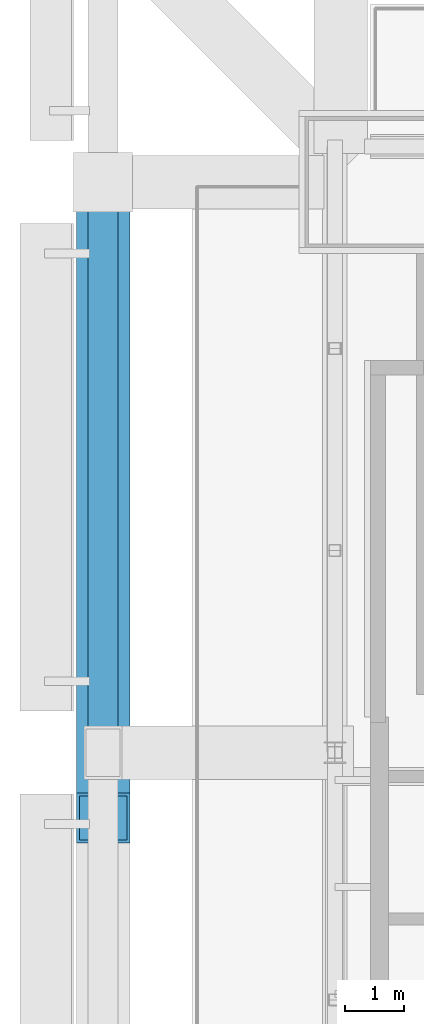
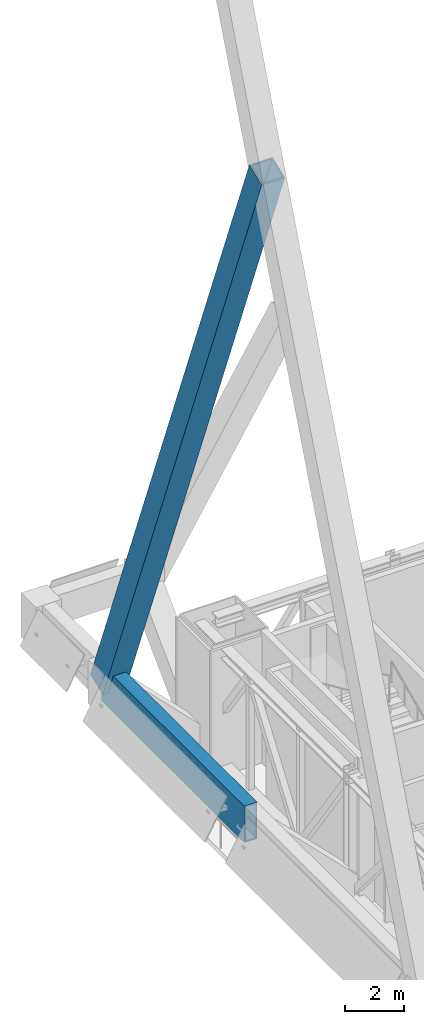
# One storey, part 12 of 30: 1 beam, 1 member.
"""IFC4 building model written with IfcOpenShell, lengths in metres."""

from ifc_helpers import new_model, si_unit, direction, frame, origin, origin_2d, place, context, subcontext, project, spatial, hollow_rectangle, extrude, material, material_profile, profile_set, type_object, element, save


model = new_model("IFC4")

# Units and contexts
model_context = context("Model", 3, precision=1e-05, world=origin(), true_north=direction((0.0, 1.0)))
body_context = subcontext(model_context, "Body", "Model", "MODEL_VIEW")
ifc_project = project(units=[si_unit("LENGTHUNIT", "METRE"), si_unit("AREAUNIT", "SQUARE_METRE"), si_unit("VOLUMEUNIT", "CUBIC_METRE"), si_unit("PLANEANGLEUNIT", "RADIAN"), si_unit("MASSUNIT", "GRAM", prefix="KILO")], contexts=[model_context])

# Site, building, storey
site_placement = place(None, origin())
site = spatial("IfcSite", under=ifc_project, at=site_placement, CompositionType="ELEMENT")
building_placement = place(site_placement, origin())
building = spatial("IfcBuilding", under=site, at=building_placement, Name="Bicima Exchange Tower", CompositionType="ELEMENT")
storey_placement = place(building_placement, frame((0.0, 0.0, 287.60009765625)))
storey = spatial("IfcBuildingStorey", under=building, at=storey_placement, Name="L65", CompositionType="ELEMENT", Elevation=287.60009765625)

# Beam
ifc_material = material(Name="Steel ASTM A572 Gr 50", Category="steel")
ifc_material_profile_1 = material_profile(ifc_material, hollow_rectangle(XDim=0.5, YDim=1.5, WallThickness=0.050048828125, at=origin_2d()))
ifc_profile_set_1 = profile_set([ifc_material_profile_1], Name="Steel ASTM A572 Gr 50")
beam_type = type_object("IfcBeamType", Name="Belt girder BOX 500x1500x50", PredefinedType="BEAM", material=ifc_profile_set_1)
beam_placement = place(storey_placement, frame((-37.5, -3.0, 4.5), z_axis=(0.0, -1.0, 0.0), x_axis=(1.0, 0.0, 0.0)))
element("IfcBeam", 1, at=beam_placement, inside=storey, type_object=beam_type, Name="Belt girder", PredefinedType="BEAM", context=body_context, shape_type="SweptSolid", body=[
    extrude(hollow_rectangle(XDim=0.5, YDim=1.5, WallThickness=0.050048828125, at=origin_2d()), origin(), (0.0, 0.0, 1.0), 9.60009765625),
])

# Member
ifc_material_profile_2 = material_profile(ifc_material, hollow_rectangle(XDim=0.89990234375, YDim=0.89990234375, WallThickness=0.050048828125, at=origin_2d()))
ifc_profile_set_2 = profile_set([ifc_material_profile_2], Name="Steel ASTM A572 Gr 50")
member_type = type_object("IfcMemberType", Name="Exo mega brace BOX 900x900x50", PredefinedType="BRACE", material=ifc_profile_set_2)
member_placement = place(storey_placement, frame((-37.5, -3.0, 4.5), z_axis=(0.0, -0.363478587455, 0.931602552842), x_axis=(1.0, 0.0, 0.0)))
element("IfcMember", 2, at=member_placement, inside=storey, type_object=member_type, Name="Exo mega brace end", PredefinedType="BRACE", context=body_context, shape_type="SweptSolid", body=[
    extrude(hollow_rectangle(XDim=0.89990234375, YDim=0.89990234375, WallThickness=0.050048828125, at=origin_2d()), origin(), (0.0, 0.0, 1.0), 29.438232421875),
])

save(model, "model.ifc")
